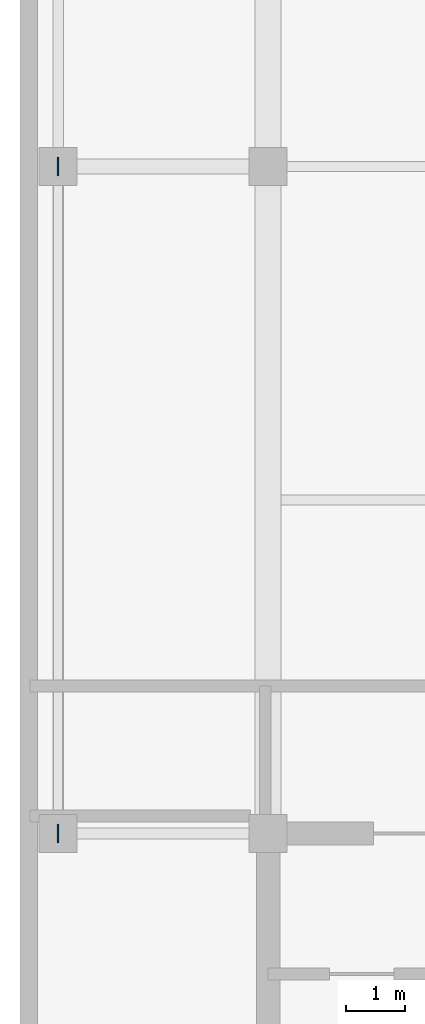
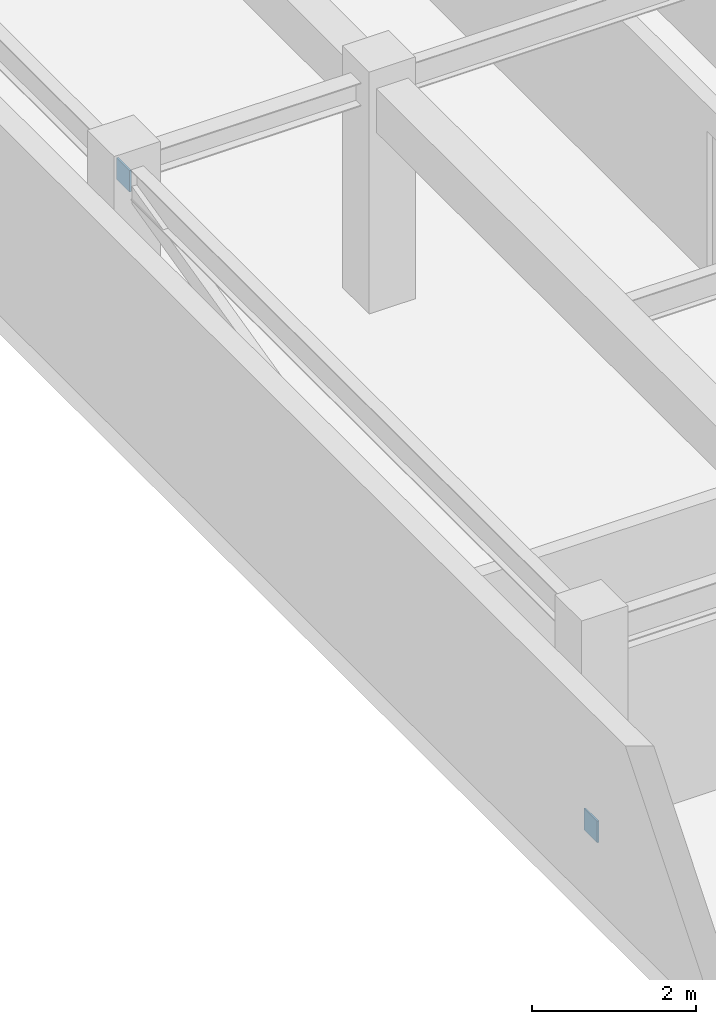
# One storey, part 7 of 9: 2 discrete accessories.
"""IFC4 building model written with IfcOpenShell, lengths in metres."""

from ifc_helpers import new_model, si_unit, direction, frame, origin, origin_2d, place, context, subcontext, project, spatial, rectangle, extrude, material, layer, layer_set, type_object, element, save


model = new_model("IFC4")

# Units and contexts
model_context = context("Model", 3, precision=1e-05, world=origin(), true_north=direction((0.0, 1.0)))
body_context = subcontext(model_context, "Body", "Model", "MODEL_VIEW")
ifc_project = project(units=[si_unit("LENGTHUNIT", "METRE"), si_unit("AREAUNIT", "SQUARE_METRE"), si_unit("VOLUMEUNIT", "CUBIC_METRE"), si_unit("PLANEANGLEUNIT", "RADIAN"), si_unit("MASSUNIT", "GRAM", prefix="KILO")], contexts=[model_context])

# Site, building, storey
site_placement = place(None, origin())
site = spatial("IfcSite", under=ifc_project, at=site_placement, CompositionType="ELEMENT")
building_placement = place(site_placement, origin())
building = spatial("IfcBuilding", under=site, at=building_placement, Name="Svetorya Sky Lyceum", CompositionType="ELEMENT")
storey_placement = place(building_placement, frame((0.0, 0.0, 312.800048828125)))
storey = spatial("IfcBuildingStorey", under=building, at=storey_placement, Name="C04", CompositionType="ELEMENT", Elevation=312.800048828125)

# Discrete accessories
ifc_material = material(Name="Steel S355", Category="steel")
ifc_layer = layer(ifc_material, 0.02392578125)
ifc_layer_set = layer_set([ifc_layer], Name="Steel S355")
discrete_accessory_type = type_object("IfcDiscreteAccessoryType", Name="ACC-GUSSET-24", PredefinedType="BRACKET", material=ifc_layer_set)
for number, where, z_axis, x_axis, name in (
    (1, (22.010009765625, 16.800048828125, 0.08984375), (0.0, 0.0, 1.0), (1.0, 0.0, 0.0), "C04 Brace Node Gusset Plate 205"),
    (2, (22.010009765625, 28.199951171875, 2.85986328125), (0.0, 0.0, 1.0), (1.0, 0.0, 0.0), "C04 Brace Node Gusset Plate 206"),
):
    element("IfcDiscreteAccessory", number, at=place(storey_placement, frame(where, z_axis=z_axis, x_axis=x_axis)), inside=storey, type_object=discrete_accessory_type, Name=name, PredefinedType="BRACKET", context=body_context, shape_type="SweptSolid", body=[
        extrude(rectangle(XDim=0.02392578125, YDim=0.320068359375, at=origin_2d()), origin(), (0.0, 0.0, 1.0), 0.320068359375),
    ])

save(model, "model.ifc")
